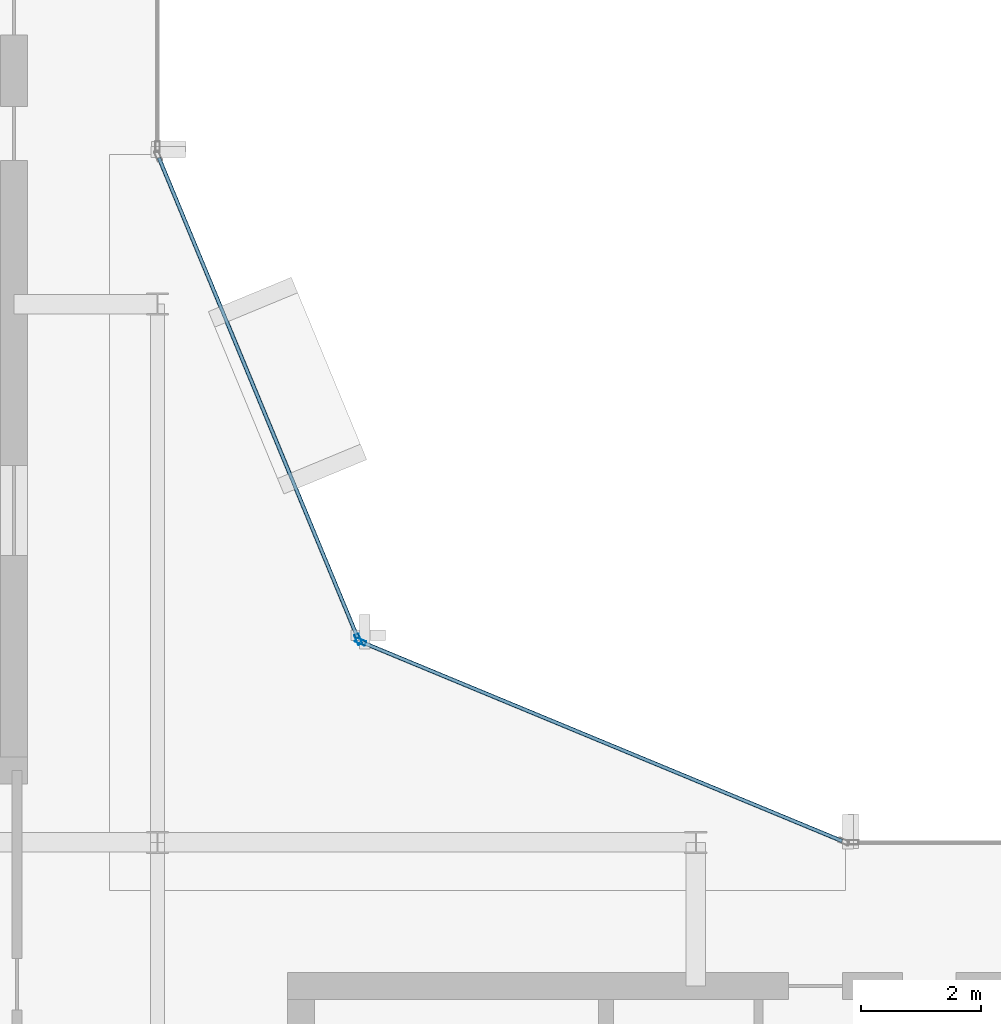
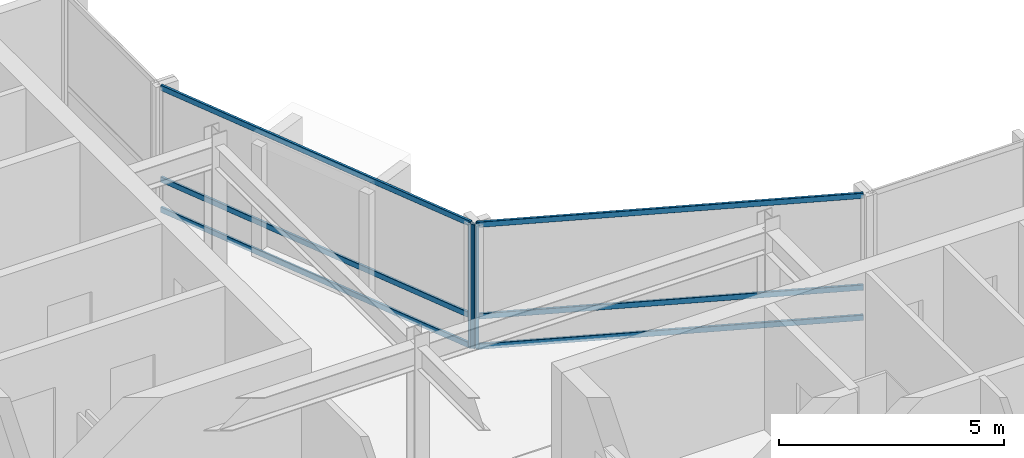
# One storey, part 8 of 19: 8 members, 2 elements without a shape of their own.
"""IFC4 building model written with IfcOpenShell, lengths in metres."""

import ifcopenshell
import ifcopenshell.guid

model = None  # the IFC model being written
_history = None  # IfcOwnerHistory: only IFC2X3 demands one
_inside = {}  # id of a spatial element -> (the spatial element, [elements in it])
_under = {}  # id of a project, library or spatial element -> (it, [spatial elements below it])
_declared = {}  # id of a project -> (the project, [libraries it declares])
_typed = {}  # id of a type object -> (the type object, [elements of that type])
_made_of = {}  # id of a material, layer set ... -> (it, [elements and type objects made of it])


def new_model(schema):
    """Start an empty IFC model of exactly this schema.

    Asked for "IFC4X3", IfcOpenShell would pick the latest addendum, in which some entities
    have other attributes; the version numbers below select the first issue.
    IFC2X3 requires an IfcOwnerHistory on every rooted entity: one is made here for all.
    """
    global model, _history
    if schema == "IFC4X3":
        model = ifcopenshell.file(schema_version=(4, 3, 0, 0))
    else:
        model = ifcopenshell.file(schema=schema)
    _inside.clear()
    _under.clear()
    _declared.clear()
    _typed.clear()
    _made_of.clear()
    _history = None
    if model.schema == "IFC2X3":
        org = make("IfcOrganization", Name="unknown")
        user = make(
            "IfcPersonAndOrganization",
            ThePerson=make("IfcPerson", FamilyName="unknown"),
            TheOrganization=org,
        )
        app = make(
            "IfcApplication",
            ApplicationDeveloper=org,
            Version="unknown",
            ApplicationFullName="unknown",
            ApplicationIdentifier="unknown",
        )
        _history = make(
            "IfcOwnerHistory",
            OwningUser=user,
            OwningApplication=app,
            ChangeAction="ADDED",
            CreationDate=0,
        )
    return model


def make(cls, **values):
    """One entity of the class cls with the attributes given. An attribute that is None is left unset."""
    return model.create_entity(
        cls, **{name: value for name, value in values.items() if value is not None}
    )


def rooted(cls, **values):
    """An entity with a GlobalId (a new one), such as an element, a storey or a relation."""
    return make(cls, GlobalId=ifcopenshell.guid.new(), OwnerHistory=_history, **values)


def si_unit(unit_type, name, prefix=None):
    """IfcSIUnit, for example si_unit("LENGTHUNIT", "METRE", prefix="MILLI")."""
    return make("IfcSIUnit", UnitType=unit_type, Prefix=prefix, Name=name)


def assignment(units):
    """IfcUnitAssignment: the units of a project."""
    return None if units is None else make("IfcUnitAssignment", Units=units)


def point(xyz):
    """IfcCartesianPoint."""
    return None if xyz is None else make("IfcCartesianPoint", Coordinates=xyz)


def direction(xyz):
    """IfcDirection."""
    return None if xyz is None else make("IfcDirection", DirectionRatios=xyz)


def frame(location, z_axis=None, x_axis=None):
    """IfcAxis2Placement3D, a coordinate frame: its origin and axes. An axis left out is left unset."""
    return make(
        "IfcAxis2Placement3D",
        Location=point(location),
        Axis=direction(z_axis),
        RefDirection=direction(x_axis),
    )


def frame_2d(location, x_axis=None):
    """IfcAxis2Placement2D, a coordinate frame in the plane: its origin and x axis."""
    return make(
        "IfcAxis2Placement2D", Location=point(location), RefDirection=direction(x_axis)
    )


def origin():
    """The frame at (0, 0, 0) with its axes left unset."""
    return frame((0.0, 0.0, 0.0))


def origin_2d():
    """The frame at (0, 0) in the plane with its x axis left unset."""
    return frame_2d((0.0, 0.0))


def place(relative_to, where):
    """IfcLocalPlacement: puts the frame where relative to a parent placement (None: the world)."""
    return make(
        "IfcLocalPlacement", PlacementRelTo=relative_to, RelativePlacement=where
    )


def context(
    kind, dimensions, precision=None, world=None, true_north=None, identifier=None
):
    """IfcGeometricRepresentationContext, for example the 3D "Model" context."""
    return make(
        "IfcGeometricRepresentationContext",
        ContextIdentifier=identifier,
        ContextType=kind,
        CoordinateSpaceDimension=dimensions,
        Precision=precision,
        WorldCoordinateSystem=world,
        TrueNorth=true_north,
    )


def subcontext(parent, identifier, kind, view, scale=None):
    """IfcGeometricRepresentationSubContext, for example "Body" below "Model"."""
    return make(
        "IfcGeometricRepresentationSubContext",
        ContextIdentifier=identifier,
        ContextType=kind,
        ParentContext=parent,
        TargetScale=scale,
        TargetView=view,
    )


def project(units=None, contexts=None):
    """IfcProject with its units and contexts."""
    return rooted(
        "IfcProject",
        Name="project",
        RepresentationContexts=contexts,
        UnitsInContext=assignment(units),
    )


def spatial(cls, under=None, at=None, **own):
    """A site, building, storey or space (cls), placed at a placement, below another one or the project."""
    s = rooted(cls, ObjectPlacement=at, **own)
    if under is not None:
        _under.setdefault(under.id(), (under, []))[1].append(s)
    return s


def profile(cls, at=None, kind="AREA", **sizes):
    """A parametric profile (cls). Its sizes go by their IFC names, for example OverallWidth=200.0."""
    return make(cls, ProfileType=kind, Position=at, **sizes)


def hollow_rectangle(**sizes):
    """IfcRectangleHollowProfileDef."""
    return profile("IfcRectangleHollowProfileDef", **sizes)


def extrude(swept, where, along, depth):
    """IfcExtrudedAreaSolid: the profile swept, set in the frame where, extruded along a direction by depth."""
    return make(
        "IfcExtrudedAreaSolid",
        SweptArea=swept,
        Position=where,
        ExtrudedDirection=direction(along),
        Depth=depth,
    )


def shape(context_of_items, identifier, shape_type, items):
    """IfcShapeRepresentation: the items that make up one representation, for example the "Body"."""
    return make(
        "IfcShapeRepresentation",
        ContextOfItems=context_of_items,
        RepresentationIdentifier=identifier,
        RepresentationType=shape_type,
        Items=items,
    )


def material(Name=None, Category=None):
    """IfcMaterial."""
    return make("IfcMaterial", Name=Name, Category=Category)


def layer(
    of_material, thickness, ventilated=None, Name=None, Category=None, Priority=None
):
    """IfcMaterialLayer: one layer of a wall or slab, of a material (None: an air gap)."""
    return make(
        "IfcMaterialLayer",
        Material=of_material,
        LayerThickness=thickness,
        IsVentilated=ventilated,
        Name=Name,
        Category=Category,
        Priority=Priority,
    )


def layer_set(layers, Name=None):
    """IfcMaterialLayerSet."""
    return make("IfcMaterialLayerSet", MaterialLayers=layers, LayerSetName=Name)


def material_profile(
    of_material, cross_section, Name=None, Category=None, Priority=None
):
    """IfcMaterialProfile: a cross section and its material."""
    return make(
        "IfcMaterialProfile",
        Name=Name,
        Material=of_material,
        Profile=cross_section,
        Priority=Priority,
        Category=Category,
    )


def profile_set(profiles, Name=None, composite=None):
    """IfcMaterialProfileSet."""
    return make(
        "IfcMaterialProfileSet",
        Name=Name,
        MaterialProfiles=profiles,
        CompositeProfile=composite,
    )


def made_of(thing, what):
    """Note that an element or type object is made of a material, layer set ...; save() writes the relation."""
    if what is not None:
        _made_of.setdefault(what.id(), (what, []))[1].append(thing)
    return thing


def type_object(cls, material=None, **own):
    """A type object (cls), such as IfcWallType, which elements share."""
    return made_of(rooted(cls, **own), material)


def element(
    cls,
    number,
    at=None,
    inside=None,
    cuts=None,
    type_object=None,
    material=None,
    context=None,
    identifier="Body",
    shape_type=None,
    held_by="IfcProductDefinitionShape",
    body=None,
    shapes=None,
    **own,
):
    """One element of the class cls, such as IfcWall. Its Tag is "e" and its number.

    at: its placement. inside: the storey or other place that contains it. cuts: it is an
    opening in that element (IfcRelVoidsElement). A single representation is given by context,
    identifier, shape_type and body (its items); several are given by shapes. held_by: the class
    of the entity that holds the representations. save() writes the other relations.
    """
    e = rooted(cls, Tag="e%d" % number, ObjectPlacement=at, **own)
    if body is not None:
        shapes = [shape(context, identifier, shape_type, body)]
    if shapes is not None:
        e.Representation = make(held_by, Representations=shapes)
    if inside is not None:
        _inside.setdefault(inside.id(), (inside, []))[1].append(e)
    if cuts is not None:
        rooted(
            "IfcRelVoidsElement", RelatingBuildingElement=cuts, RelatedOpeningElement=e
        )
    if type_object is not None:
        _typed.setdefault(type_object.id(), (type_object, []))[1].append(e)
    return made_of(e, material)


def aggregate(whole, parts):
    """IfcRelAggregates: a whole, such as a stair, and the parts it consists of."""
    return rooted("IfcRelAggregates", RelatingObject=whole, RelatedObjects=parts)


def save(model, path):
    """Write the relations noted so far, then the file.

    IfcRelAggregates (storeys below a building ...), IfcRelContainedInSpatialStructure (elements
    in a storey), IfcRelDefinesByType, IfcRelAssociatesMaterial and IfcRelDeclares: one each for
    every whole, place, type object, material and project.
    """
    for whole, parts in _under.values():
        aggregate(whole, parts)
    for where, things in _inside.values():
        rooted(
            "IfcRelContainedInSpatialStructure",
            RelatedElements=things,
            RelatingStructure=where,
        )
    for kind, things in _typed.values():
        rooted("IfcRelDefinesByType", RelatedObjects=things, RelatingType=kind)
    for what, things in _made_of.values():
        rooted("IfcRelAssociatesMaterial", RelatedObjects=things, RelatingMaterial=what)
    for by, libraries in _declared.values():
        rooted("IfcRelDeclares", RelatingContext=by, RelatedDefinitions=libraries)
    model.write(path)


model = new_model("IFC4")

# Units and contexts
model_context = context("Model", 3, precision=1e-05, world=origin(), true_north=direction((0.0, 1.0)))
body_context = subcontext(model_context, "Body", "Model", "MODEL_VIEW")
ifc_project = project(units=[si_unit("LENGTHUNIT", "METRE"), si_unit("AREAUNIT", "SQUARE_METRE"), si_unit("VOLUMEUNIT", "CUBIC_METRE"), si_unit("PLANEANGLEUNIT", "RADIAN"), si_unit("MASSUNIT", "GRAM", prefix="KILO")], contexts=[model_context])

# Site, building, storey
site_placement = place(None, origin())
site = spatial("IfcSite", under=ifc_project, at=site_placement, CompositionType="ELEMENT")
building_placement = place(site_placement, origin())
building = spatial("IfcBuilding", under=site, at=building_placement, Name="Solvaryn Broadcast Tower", CompositionType="ELEMENT")
storey_placement = place(building_placement, frame((0.0, 0.0, 293.699951171875)))
storey = spatial("IfcBuildingStorey", under=building, at=storey_placement, Name="L74", CompositionType="ELEMENT", Elevation=293.699951171875)

# Curtain wall, member
ifc_material_1 = material(Name="Aluminium and Terracotta Unitised Curtain Wall", Category="masonry")
ifc_layer = layer(ifc_material_1, 0.199951171875)
ifc_layer_set = layer_set([ifc_layer], Name="CW-SYS2-LOWMID")
curtain_wall_type = type_object("IfcCurtainWallType", Name="CW-SYS2-LOWMID", PredefinedType="NOTDEFINED", material=ifc_layer_set)
curtain_wall_1_placement = place(storey_placement, origin())
curtain_wall_1 = element("IfcCurtainWall", 1, at=curtain_wall_1_placement, inside=storey, type_object=curtain_wall_type, Name="L74 Curtain Wall CN1", PredefinedType="NOTDEFINED")
ifc_material_2 = material(Name="Anodised Aluminium 6063-T6", Category="aluminium")
ifc_material_profile_1 = material_profile(ifc_material_2, hollow_rectangle(XDim=0.074951171875, YDim=0.179931640625, WallThickness=0.00390625, InnerFilletRadius=0.00390625, OuterFilletRadius=0.008056640625, at=origin_2d()))
ifc_profile_set_1 = profile_set([ifc_material_profile_1], Name="Anodised Aluminium 6063-T6")
member_type_1 = type_object("IfcMemberType", Name="CW-MUL-180", PredefinedType="MULLION", material=ifc_profile_set_1)
member_1_placement = place(storey_placement, frame((30.395751953125, 30.3564453125, 0.0), z_axis=(0.0, 0.0, 1.0), x_axis=(-0.382646127145, -0.923894983957, 0.0)))
member_1 = element("IfcMember", 2, at=member_1_placement, type_object=member_type_1, Name="CWS2 mullion 2", PredefinedType="MULLION", context=body_context, shape_type="SweptSolid", body=[
    extrude(hollow_rectangle(XDim=0.074951171875, YDim=0.179931640625, WallThickness=0.00390625, InnerFilletRadius=0.00390625, OuterFilletRadius=0.008056640625, at=origin_2d()), origin(), (0.0, 0.0, 1.0), 3.3701171875),
])

curtain_wall_2_placement = place(storey_placement, origin())
curtain_wall_2 = element("IfcCurtainWall", 3, at=curtain_wall_2_placement, inside=storey, type_object=curtain_wall_type, Name="L74 Curtain Wall CN2", PredefinedType="NOTDEFINED")
member_2_placement = place(storey_placement, frame((30.3564453125, 30.395751953125, 0.0), z_axis=(0.0, 0.0, 1.0), x_axis=(-0.923894983957, -0.382646127145, 0.0)))
member_2 = element("IfcMember", 4, at=member_2_placement, type_object=member_type_1, Name="CWS2 mullion 1", PredefinedType="MULLION", context=body_context, shape_type="SweptSolid", body=[
    extrude(hollow_rectangle(XDim=0.074951171875, YDim=0.179931640625, WallThickness=0.00390625, InnerFilletRadius=0.00390625, OuterFilletRadius=0.008056640625, at=origin_2d()), origin(), (0.0, 0.0, 1.0), 3.3701171875),
])

# Member
ifc_material_3 = material(Name="Anodised Aluminium 6063-T6", Category="aluminium")
ifc_material_profile_2 = material_profile(ifc_material_3, hollow_rectangle(XDim=0.06494140625, YDim=0.14990234375, WallThickness=0.00390625, InnerFilletRadius=0.00390625, OuterFilletRadius=0.008056640625, at=origin_2d()))
ifc_profile_set_2 = profile_set([ifc_material_profile_2], Name="Anodised Aluminium 6063-T6")
member_type_2 = type_object("IfcMemberType", Name="CW-TRN-150", PredefinedType="USERDEFINED", material=ifc_profile_set_2)
member_3_placement = place(storey_placement, frame((38.444580078125, 27.02294921875, 0.030029296875), z_axis=(-0.923899282177, 0.382635748975, 0.0), x_axis=(-0.382635748975, -0.923899282177, 0.0)))
member_3 = element("IfcMember", 5, at=member_3_placement, type_object=member_type_2, Name="CWS2 transom 1.1", ObjectType="TRANSOM", PredefinedType="USERDEFINED", context=body_context, shape_type="SweptSolid", body=[
    extrude(hollow_rectangle(XDim=0.06494140625, YDim=0.14990234375, WallThickness=0.00390625, InnerFilletRadius=0.00390625, OuterFilletRadius=0.008056640625, at=origin_2d()), origin(), (0.0, 0.0, 1.0), 8.681884765625),
])

member_4_placement = place(storey_placement, frame((38.444580078125, 27.02294921875, 0.85009765625), z_axis=(-0.923899282177, 0.382635748975, 0.0), x_axis=(-0.382635748975, -0.923899282177, 0.0)))
member_4 = element("IfcMember", 6, at=member_4_placement, type_object=member_type_2, Name="CWS2 transom 1.2", ObjectType="TRANSOM", PredefinedType="USERDEFINED", context=body_context, shape_type="SweptSolid", body=[
    extrude(hollow_rectangle(XDim=0.06494140625, YDim=0.14990234375, WallThickness=0.00390625, InnerFilletRadius=0.00390625, OuterFilletRadius=0.008056640625, at=origin_2d()), origin(), (0.0, 0.0, 1.0), 8.681884765625),
])

member_5_placement = place(storey_placement, frame((38.444580078125, 27.02294921875, 3.340087890625), z_axis=(-0.923899282177, 0.382635748975, 0.0), x_axis=(-0.382635748975, -0.923899282177, 0.0)))
member_5 = element("IfcMember", 7, at=member_5_placement, type_object=member_type_2, Name="CWS2 transom 1.3", ObjectType="TRANSOM", PredefinedType="USERDEFINED", context=body_context, shape_type="SweptSolid", body=[
    extrude(hollow_rectangle(XDim=0.06494140625, YDim=0.14990234375, WallThickness=0.00390625, InnerFilletRadius=0.00390625, OuterFilletRadius=0.008056640625, at=origin_2d()), origin(), (0.0, 0.0, 1.0), 8.681884765625),
])

aggregate(curtain_wall_1, [member_1, member_3, member_4, member_5])

member_6_placement = place(storey_placement, frame((30.344970703125, 30.42333984375, 0.030029296875), z_axis=(-0.382635748975, 0.923899282177, 0.0), x_axis=(-0.923899282177, -0.382635748975, 0.0)))
member_6 = element("IfcMember", 8, at=member_6_placement, type_object=member_type_2, Name="CWS2 transom 1.1", ObjectType="TRANSOM", PredefinedType="USERDEFINED", context=body_context, shape_type="SweptSolid", body=[
    extrude(hollow_rectangle(XDim=0.06494140625, YDim=0.14990234375, WallThickness=0.00390625, InnerFilletRadius=0.00390625, OuterFilletRadius=0.008056640625, at=origin_2d()), origin(), (0.0, 0.0, 1.0), 8.681884765625),
])

member_7_placement = place(storey_placement, frame((30.344970703125, 30.42333984375, 0.85009765625), z_axis=(-0.382635748975, 0.923899282177, 0.0), x_axis=(-0.923899282177, -0.382635748975, 0.0)))
member_7 = element("IfcMember", 9, at=member_7_placement, type_object=member_type_2, Name="CWS2 transom 1.2", ObjectType="TRANSOM", PredefinedType="USERDEFINED", context=body_context, shape_type="SweptSolid", body=[
    extrude(hollow_rectangle(XDim=0.06494140625, YDim=0.14990234375, WallThickness=0.00390625, InnerFilletRadius=0.00390625, OuterFilletRadius=0.008056640625, at=origin_2d()), origin(), (0.0, 0.0, 1.0), 8.681884765625),
])

member_8_placement = place(storey_placement, frame((30.344970703125, 30.42333984375, 3.340087890625), z_axis=(-0.382635748975, 0.923899282177, 0.0), x_axis=(-0.923899282177, -0.382635748975, 0.0)))
member_8 = element("IfcMember", 10, at=member_8_placement, type_object=member_type_2, Name="CWS2 transom 1.3", ObjectType="TRANSOM", PredefinedType="USERDEFINED", context=body_context, shape_type="SweptSolid", body=[
    extrude(hollow_rectangle(XDim=0.06494140625, YDim=0.14990234375, WallThickness=0.00390625, InnerFilletRadius=0.00390625, OuterFilletRadius=0.008056640625, at=origin_2d()), origin(), (0.0, 0.0, 1.0), 8.681884765625),
])

aggregate(curtain_wall_2, [member_2, member_6, member_7, member_8])

save(model, "model.ifc")
